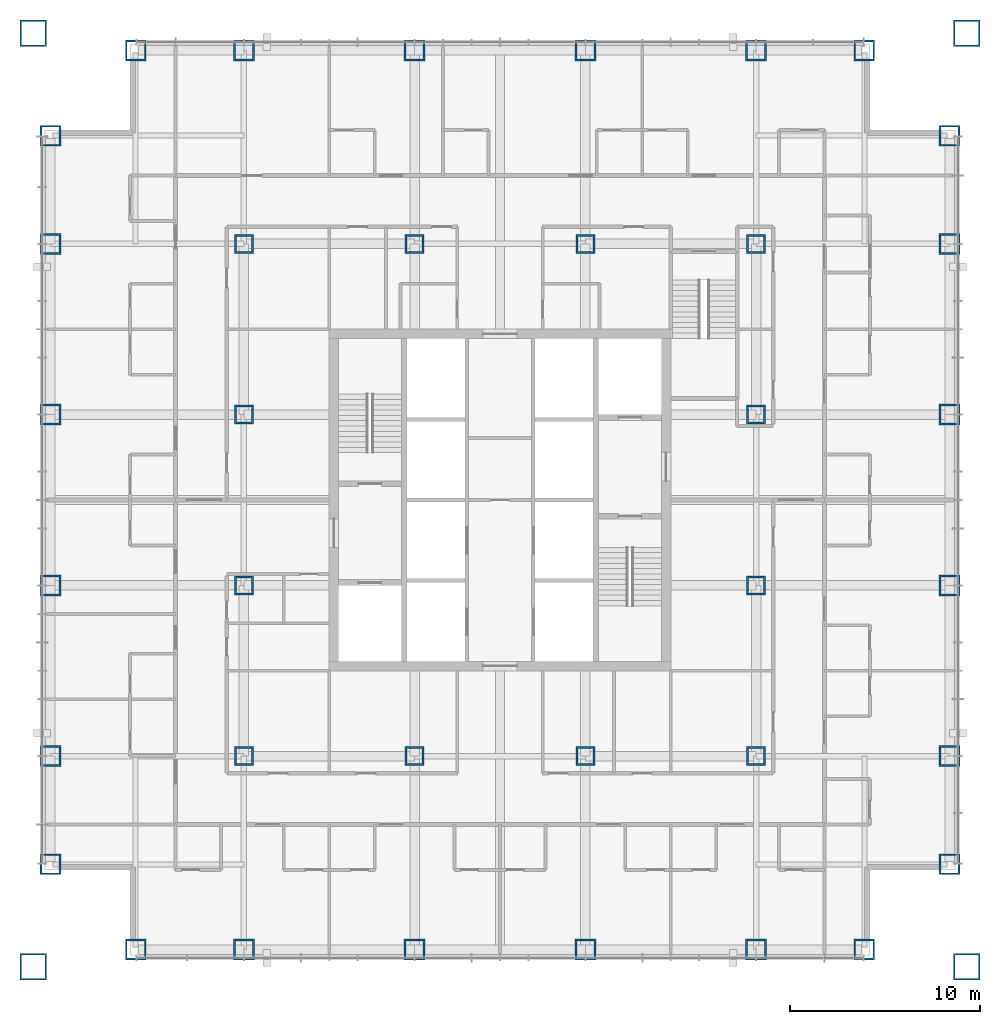
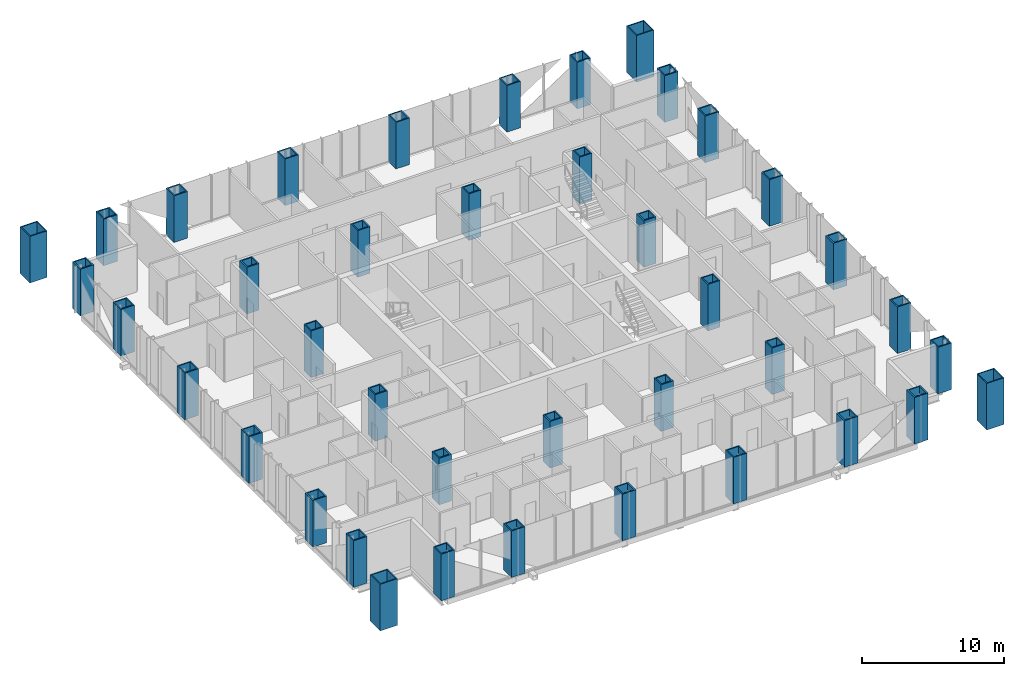
# One storey, part 1 of 14: 40 columns.
"""IFC4 building model written with IfcOpenShell, lengths in metres."""

from ifc_helpers import new_model, si_unit, direction, frame, origin, origin_2d, place, context, subcontext, project, spatial, hollow_rectangle, extrude, material, material_profile, profile_set, type_object, element, save


model = new_model("IFC4")

# Units and contexts
model_context = context("Model", 3, precision=1e-05, world=origin(), true_north=direction((0.0, 1.0)))
body_context = subcontext(model_context, "Body", "Model", "MODEL_VIEW")
ifc_project = project(units=[si_unit("LENGTHUNIT", "METRE"), si_unit("AREAUNIT", "SQUARE_METRE"), si_unit("VOLUMEUNIT", "CUBIC_METRE"), si_unit("PLANEANGLEUNIT", "RADIAN"), si_unit("MASSUNIT", "GRAM", prefix="KILO")], contexts=[model_context])

# Site, building, storey
site_placement = place(None, origin())
site = spatial("IfcSite", under=ifc_project, at=site_placement, CompositionType="ELEMENT")
building_placement = place(site_placement, origin())
building = spatial("IfcBuilding", under=site, at=building_placement, Name="Malebo Sky Hospital", CompositionType="ELEMENT")
storey_placement = place(building_placement, frame((0.0, 0.0, 164.0)))
storey = spatial("IfcBuildingStorey", under=building, at=storey_placement, Name="L39", CompositionType="ELEMENT", Elevation=164.0)

# Columns
ifc_material = material(Name="Steel S460", Category="steel")
ifc_material_profile_1 = material_profile(ifc_material, hollow_rectangle(XDim=1.0, YDim=1.0, WallThickness=0.10009765625, at=origin_2d()), Name="BOX 1000x1000x100")
ifc_profile_set_1 = profile_set([ifc_material_profile_1], Name="Steel S460")
column_type_1 = type_object("IfcColumnType", Name="INNER COLUMN BOX 1000x1000x100", PredefinedType="COLUMN", material=ifc_profile_set_1)
for number, where, z_axis, x_axis, name in (
    (1, (46.5, 48.5, 0.0), (0.0, 0.0, 1.0), (1.0, 0.0, 0.0), "Column IC9 L39"),
    (2, (73.5, 48.5, 0.0), (0.0, 0.0, 1.0), (1.0, 0.0, 0.0), "Column IC9 L39"),
    (3, (73.5, 75.5, 0.0), (0.0, 0.0, 1.0), (1.0, 0.0, 0.0), "Column IC9 L39"),
    (4, (46.5, 75.5, 0.0), (0.0, 0.0, 1.0), (1.0, 0.0, 0.0), "Column IC9 L39"),
    (5, (55.5, 48.5, 0.0), (0.0, 0.0, 1.0), (1.0, 0.0, 0.0), "Column IC9 L39"),
    (6, (64.5, 48.5, 0.0), (0.0, 0.0, 1.0), (1.0, 0.0, 0.0), "Column IC9 L39"),
    (7, (55.5, 75.5, 0.0), (0.0, 0.0, 1.0), (1.0, 0.0, 0.0), "Column IC9 L39"),
    (8, (64.5, 75.5, 0.0), (0.0, 0.0, 1.0), (1.0, 0.0, 0.0), "Column IC9 L39"),
    (9, (46.5, 57.5, 0.0), (0.0, 0.0, 1.0), (1.0, 0.0, 0.0), "Column IC9 L39"),
    (10, (46.5, 66.5, 0.0), (0.0, 0.0, 1.0), (1.0, 0.0, 0.0), "Column IC9 L39"),
    (11, (73.5, 57.5, 0.0), (0.0, 0.0, 1.0), (1.0, 0.0, 0.0), "Column IC9 L39"),
    (12, (73.5, 66.5, 0.0), (0.0, 0.0, 1.0), (1.0, 0.0, 0.0), "Column IC9 L39"),
):
    element("IfcColumn", number, at=place(storey_placement, frame(where, z_axis=z_axis, x_axis=x_axis)), inside=storey, type_object=column_type_1, Name=name, PredefinedType="COLUMN", context=body_context, shape_type="SweptSolid", body=[
        extrude(hollow_rectangle(XDim=1.0, YDim=1.0, WallThickness=0.10009765625, at=origin_2d()), origin(), (0.0, 0.0, 1.0), 4.0),
    ])
ifc_material_profile_2 = material_profile(ifc_material, hollow_rectangle(XDim=1.39990234375, YDim=1.39990234375, WallThickness=0.080078125, at=origin_2d()), Name="BOX 1400x1400x80")
ifc_profile_set_2 = profile_set([ifc_material_profile_2], Name="Steel S460")
column_type_2 = type_object("IfcColumnType", Name="MEGA COLUMN BOX 1400x1400x80", PredefinedType="COLUMN", material=ifc_profile_set_2)
for number, where, z_axis, x_axis, name in (
    (13, (35.39990234375, 37.39990234375, 0.0), (0.0, 0.0, 1.0), (1.0, 0.0, 0.0), "Mega column SW L39"),
    (14, (84.60009765625, 37.39990234375, 0.0), (0.0, 0.0, 1.0), (1.0, 0.0, 0.0), "Mega column SE L39"),
    (15, (84.60009765625, 86.60009765625, 0.0), (0.0, 0.0, 1.0), (1.0, 0.0, 0.0), "Mega column NE L39"),
    (16, (35.39990234375, 86.60009765625, 0.0), (0.0, 0.0, 1.0), (1.0, 0.0, 0.0), "Mega column NW L39"),
):
    element("IfcColumn", number, at=place(storey_placement, frame(where, z_axis=z_axis, x_axis=x_axis)), inside=storey, type_object=column_type_2, Name=name, PredefinedType="COLUMN", context=body_context, shape_type="SweptSolid", body=[
        extrude(hollow_rectangle(XDim=1.39990234375, YDim=1.39990234375, WallThickness=0.080078125, at=origin_2d()), origin(), (0.0, 0.0, 1.0), 4.0),
    ])
ifc_material_profile_3 = material_profile(ifc_material, hollow_rectangle(XDim=1.10009765625, YDim=1.10009765625, WallThickness=0.10009765625, at=origin_2d()), Name="BOX 1100x1100x100")
ifc_profile_set_3 = profile_set([ifc_material_profile_3], Name="Steel S460")
column_type_3 = type_object("IfcColumnType", Name="PERIMETER COLUMN BOX 1100x1100x100", PredefinedType="COLUMN", material=ifc_profile_set_3)
for number, where, z_axis, x_axis, name in (
    (17, (40.800048828125, 38.300048828125, 0.0), (0.0, 0.0, 1.0), (1.0, 0.0, 0.0), "Column PC10 L39"),
    (18, (40.800048828125, 85.699951171875, 0.0), (0.0, 0.0, 1.0), (1.0, 0.0, 0.0), "Column PC10 L39"),
    (19, (36.300048828125, 42.800048828125, 0.0), (0.0, 0.0, 1.0), (1.0, 0.0, 0.0), "Column PC10 L39"),
    (20, (83.699951171875, 42.800048828125, 0.0), (0.0, 0.0, 1.0), (1.0, 0.0, 0.0), "Column PC10 L39"),
    (21, (46.5, 38.300048828125, 0.0), (0.0, 0.0, 1.0), (1.0, 0.0, 0.0), "Column PC10 L39"),
    (22, (46.5, 85.699951171875, 0.0), (0.0, 0.0, 1.0), (1.0, 0.0, 0.0), "Column PC10 L39"),
    (23, (36.300048828125, 48.5, 0.0), (0.0, 0.0, 1.0), (1.0, 0.0, 0.0), "Column PC10 L39"),
    (24, (83.699951171875, 48.5, 0.0), (0.0, 0.0, 1.0), (1.0, 0.0, 0.0), "Column PC10 L39"),
    (25, (55.5, 38.300048828125, 0.0), (0.0, 0.0, 1.0), (1.0, 0.0, 0.0), "Column PC10 L39"),
    (26, (55.5, 85.699951171875, 0.0), (0.0, 0.0, 1.0), (1.0, 0.0, 0.0), "Column PC10 L39"),
    (27, (36.300048828125, 57.5, 0.0), (0.0, 0.0, 1.0), (1.0, 0.0, 0.0), "Column PC10 L39"),
    (28, (83.699951171875, 57.5, 0.0), (0.0, 0.0, 1.0), (1.0, 0.0, 0.0), "Column PC10 L39"),
    (29, (64.5, 38.300048828125, 0.0), (0.0, 0.0, 1.0), (1.0, 0.0, 0.0), "Column PC10 L39"),
    (30, (64.5, 85.699951171875, 0.0), (0.0, 0.0, 1.0), (1.0, 0.0, 0.0), "Column PC10 L39"),
    (31, (36.300048828125, 66.5, 0.0), (0.0, 0.0, 1.0), (1.0, 0.0, 0.0), "Column PC10 L39"),
    (32, (83.699951171875, 66.5, 0.0), (0.0, 0.0, 1.0), (1.0, 0.0, 0.0), "Column PC10 L39"),
    (33, (73.5, 38.300048828125, 0.0), (0.0, 0.0, 1.0), (1.0, 0.0, 0.0), "Column PC10 L39"),
    (34, (73.5, 85.699951171875, 0.0), (0.0, 0.0, 1.0), (1.0, 0.0, 0.0), "Column PC10 L39"),
    (35, (36.300048828125, 75.5, 0.0), (0.0, 0.0, 1.0), (1.0, 0.0, 0.0), "Column PC10 L39"),
    (36, (83.699951171875, 75.5, 0.0), (0.0, 0.0, 1.0), (1.0, 0.0, 0.0), "Column PC10 L39"),
    (37, (79.199951171875, 38.300048828125, 0.0), (0.0, 0.0, 1.0), (1.0, 0.0, 0.0), "Column PC10 L39"),
    (38, (79.199951171875, 85.699951171875, 0.0), (0.0, 0.0, 1.0), (1.0, 0.0, 0.0), "Column PC10 L39"),
    (39, (36.300048828125, 81.199951171875, 0.0), (0.0, 0.0, 1.0), (1.0, 0.0, 0.0), "Column PC10 L39"),
    (40, (83.699951171875, 81.199951171875, 0.0), (0.0, 0.0, 1.0), (1.0, 0.0, 0.0), "Column PC10 L39"),
):
    element("IfcColumn", number, at=place(storey_placement, frame(where, z_axis=z_axis, x_axis=x_axis)), inside=storey, type_object=column_type_3, Name=name, PredefinedType="COLUMN", context=body_context, shape_type="SweptSolid", body=[
        extrude(hollow_rectangle(XDim=1.10009765625, YDim=1.10009765625, WallThickness=0.10009765625, at=origin_2d()), origin(), (0.0, 0.0, 1.0), 4.0),
    ])

save(model, "model.ifc")
